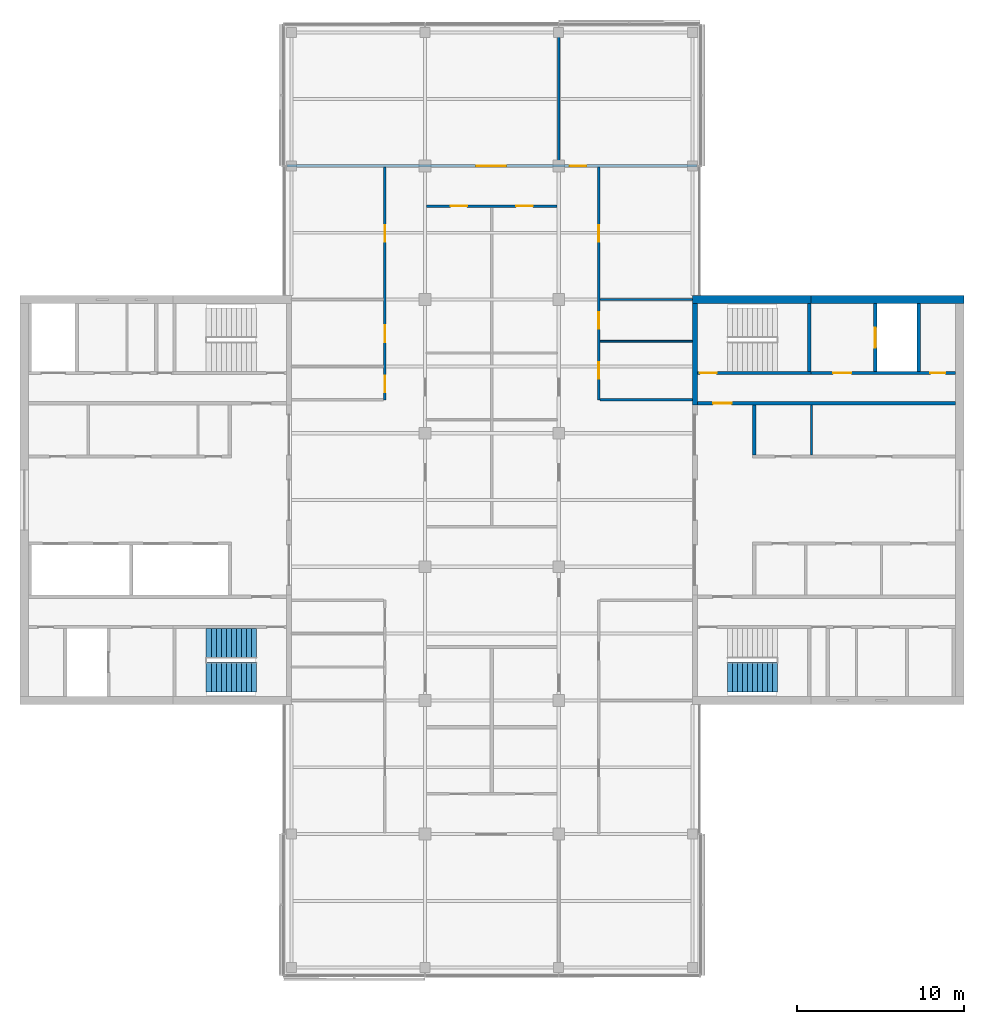
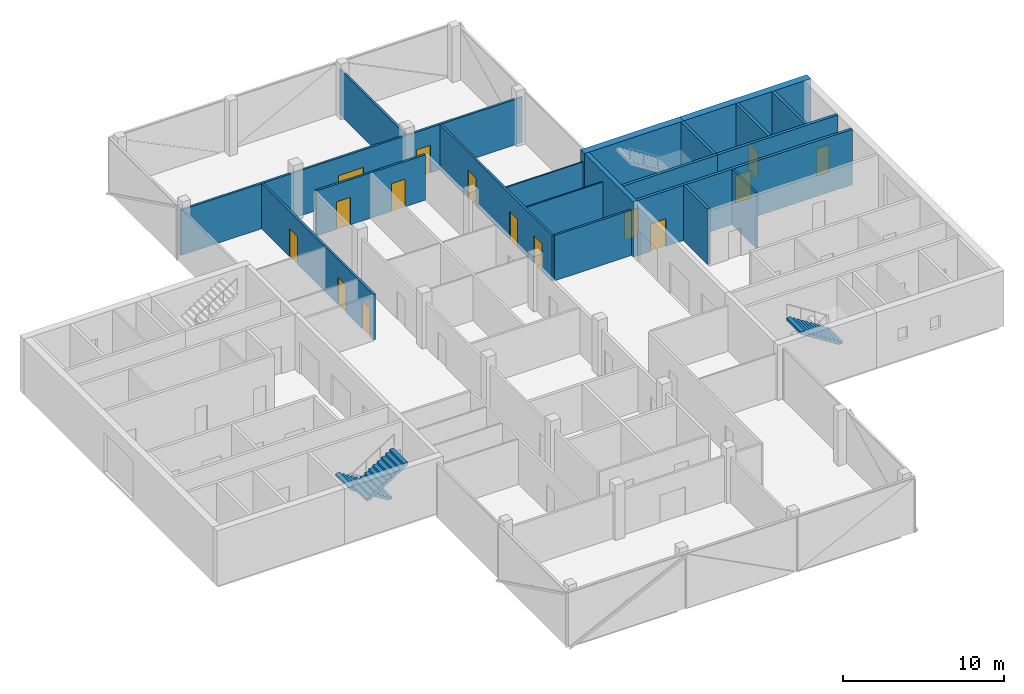
# One storey, part 12 of 16: 19 walls, 15 doors, 3 stair flights, 15 openings, 2 elements without a shape of their own.
"""IFC4 building model written with IfcOpenShell, lengths in metres."""

from ifc_helpers import new_model, si_unit, direction, frame, frame_2d, origin, place, context, subcontext, project, spatial, polyline, rectangle, outline, extrude, material, layer, layer_set, constituent, constituent_set, type_object, element, fill, aggregate, save


model = new_model("IFC4")

# Units and contexts
model_context = context("Model", 3, precision=1e-05, world=origin(), true_north=direction((0.0, 1.0)))
body_context = subcontext(model_context, "Body", "Model", "MODEL_VIEW")
ifc_project = project(units=[si_unit("LENGTHUNIT", "METRE"), si_unit("AREAUNIT", "SQUARE_METRE"), si_unit("VOLUMEUNIT", "CUBIC_METRE"), si_unit("PLANEANGLEUNIT", "RADIAN"), si_unit("MASSUNIT", "GRAM", prefix="KILO")], contexts=[model_context])

# Site, building, storey
site_placement = place(None, origin())
site = spatial("IfcSite", under=ifc_project, at=site_placement, CompositionType="ELEMENT")
building_placement = place(site_placement, origin())
building = spatial("IfcBuilding", under=site, at=building_placement, Name="Crosswind Convention Tower", CompositionType="ELEMENT")
storey_placement = place(building_placement, frame((0.0, 0.0, 274.5)))
storey = spatial("IfcBuildingStorey", under=building, at=storey_placement, Name="L59", CompositionType="ELEMENT", Elevation=274.5)

# Walls
ifc_material_1 = material(Name="Concrete C50/60", Category="concrete")
ifc_layer_1 = layer(ifc_material_1, 0.300048828125)
ifc_layer_set_1 = layer_set([ifc_layer_1], Name="Concrete C50/60")
wall_type_1 = type_object("IfcWallType", Name="Concrete inner core wall 300", PredefinedType="SHEAR", material=ifc_layer_set_1)
wall_1_placement = place(storey_placement, frame((137.14990234375, 105.699951171875, 0.0), z_axis=(0.0, 0.0, 1.0), x_axis=(0.0, 1.0, 0.0)))
element("IfcWall", 1, at=wall_1_placement, inside=storey, type_object=wall_type_1, Name="Wall EP E L59", PredefinedType="SHEAR", context=body_context, shape_type="SweptSolid", body=[
    extrude(rectangle(XDim=6.050048828125, YDim=0.300048828125, at=frame_2d((3.02490234375, 0.0))), origin(), (0.0, 0.0, 1.0), 4.199951171875),
])
ifc_layer_2 = layer(ifc_material_1, 0.199951171875)
ifc_layer_set_2 = layer_set([ifc_layer_2], Name="Concrete C50/60")
wall_type_2 = type_object("IfcWallType", Name="Concrete shaft and stair wall 200", PredefinedType="SHEAR", material=ifc_layer_set_2)
wall_2_placement = place(storey_placement, frame((140.699951171875, 102.699951171875, 0.0), z_axis=(0.0, 0.0, 1.0), x_axis=(0.0, 1.0, 0.0)))
element("IfcWall", 2, at=wall_2_placement, inside=storey, type_object=wall_type_2, Name="Wall RPEND E L59", PredefinedType="SHEAR", context=body_context, shape_type="SweptSolid", body=[
    extrude(rectangle(XDim=3.0, YDim=0.199951171875, at=frame_2d((1.5, 0.0))), origin(), (0.0, 0.0, 1.0), 4.199951171875),
])

# Wall, opening, door
wall_3_placement = place(storey_placement, frame((137.300048828125, 105.800048828125, 0.0), z_axis=(0.0, 0.0, 1.0), x_axis=(1.0, 0.0, 0.0)))
wall_3 = element("IfcWall", 3, at=wall_3_placement, inside=storey, type_object=wall_type_2, Name="Wall HP E L59", PredefinedType="SHEAR", context=body_context, shape_type="SweptSolid", body=[
    extrude(rectangle(XDim=15.449951171875, YDim=0.199951171875, at=frame_2d((7.72509765625, 0.0))), origin(), (0.0, 0.0, 1.0), 4.199951171875),
])
opening_1_placement = place(wall_3_placement, frame((0.949951171875, 0.0, 0.0)))
opening_1 = element("IfcOpeningElement", 4, at=opening_1_placement, cuts=wall_3, Name="Opening D104", PredefinedType="OPENING", context=body_context, shape_type="SweptSolid", body=[
    extrude(rectangle(XDim=1.10009765625, YDim=2.10009765625, at=frame_2d((0.550048828125, 1.050048828125))), frame((0.0, 0.10986328125, 0.0), z_axis=(0.0, -1.0, 0.0), x_axis=(1.0, 0.0, 0.0)), (0.0, 0.0, 1.0), 0.219970703125),
])
ifc_material_2 = material(Name="Steel fire door", Category="steel")
door_type_1 = type_object("IfcDoorType", Name="Fire-rated single door 1100x2100", OperationType="NOTDEFINED", PredefinedType="DOOR", material=ifc_material_2)
door_1_placement = place(opening_1_placement, origin())
door_1 = element("IfcDoor", 5, at=door_1_placement, inside=storey, type_object=door_type_1, Name="Corridor door L59", ObjectType="D104", OperationType="SINGLE_SWING_LEFT", OverallHeight=2.10009765625, OverallWidth=1.10009765625, PredefinedType="DOOR", context=body_context, shape_type="SweptSolid", body=[
    extrude(rectangle(XDim=1.10009765625, YDim=2.10009765625, at=frame_2d((0.550048828125, 1.050048828125))), frame((0.0, 0.02490234375, 0.0), z_axis=(0.0, -1.0, 0.0), x_axis=(1.0, 0.0, 0.0)), (0.0, 0.0, 1.0), 0.050048828125),
])
fill(opening_1, door_1)

# Wall
wall_4_placement = place(storey_placement, frame((144.0, 107.699951171875, 0.0), z_axis=(0.0, 0.0, 1.0), x_axis=(0.0, 1.0, 0.0)))
element("IfcWall", 6, at=wall_4_placement, inside=storey, type_object=wall_type_2, Name="Wall PSE E L59", PredefinedType="SHEAR", context=body_context, shape_type="SweptSolid", body=[
    extrude(rectangle(XDim=4.050048828125, YDim=0.199951171875, at=frame_2d((2.02490234375, 0.0))), origin(), (0.0, 0.0, 1.0), 4.199951171875),
])

# Wall, opening, door
wall_5_placement = place(storey_placement, frame((147.949951171875, 107.699951171875, 0.0), z_axis=(0.0, 0.0, 1.0), x_axis=(0.0, 1.0, 0.0)))
wall_5 = element("IfcWall", 7, at=wall_5_placement, inside=storey, type_object=wall_type_2, Name="Wall PFLW E L59", PredefinedType="SHEAR", context=body_context, shape_type="SweptSolid", body=[
    extrude(rectangle(XDim=4.050048828125, YDim=0.199951171875, at=frame_2d((2.02490234375, 0.0))), origin(), (0.0, 0.0, 1.0), 4.199951171875),
])
opening_2_placement = place(wall_5_placement, frame((1.425048828125, 0.0, 0.0)))
opening_2 = element("IfcOpeningElement", 8, at=opening_2_placement, cuts=wall_5, Name="Opening LD1", PredefinedType="OPENING", context=body_context, shape_type="SweptSolid", body=[
    extrude(rectangle(XDim=1.199951171875, YDim=2.10009765625, at=frame_2d((0.60009765625, 1.050048828125))), frame((0.0, 0.10986328125, 0.0), z_axis=(0.0, -1.0, 0.0), x_axis=(1.0, 0.0, 0.0)), (0.0, 0.0, 1.0), 0.219970703125),
])
ifc_material_3 = material(Name="Stainless steel", Category="steel")
door_type_2 = type_object("IfcDoorType", Name="Lift landing door 1200x2100", OperationType="DOUBLE_DOOR_SLIDING", PredefinedType="DOOR", material=ifc_material_3)
door_2_placement = place(opening_2_placement, origin())
door_2 = element("IfcDoor", 9, at=door_2_placement, inside=storey, type_object=door_type_2, Name="Landing door FF1 L59", ObjectType="LD1", OperationType="DOUBLE_DOOR_SLIDING", OverallHeight=2.10009765625, OverallWidth=1.199951171875, PredefinedType="DOOR", context=body_context, shape_type="SweptSolid", body=[
    extrude(rectangle(XDim=1.199951171875, YDim=2.10009765625, at=frame_2d((0.60009765625, 1.050048828125))), frame((0.0, 0.02490234375, 0.0), z_axis=(0.0, -1.0, 0.0), x_axis=(1.0, 0.0, 0.0)), (0.0, 0.0, 1.0), 0.050048828125),
])
fill(opening_2, door_2)

# Wall
wall_6_placement = place(storey_placement, frame((150.550048828125, 107.699951171875, 0.0), z_axis=(0.0, 0.0, 1.0), x_axis=(0.0, 1.0, 0.0)))
element("IfcWall", 10, at=wall_6_placement, inside=storey, type_object=wall_type_2, Name="Wall PFSE E L59", PredefinedType="SHEAR", context=body_context, shape_type="SweptSolid", body=[
    extrude(rectangle(XDim=4.050048828125, YDim=0.199951171875, at=frame_2d((2.02490234375, 0.0))), origin(), (0.0, 0.0, 1.0), 4.199951171875),
])

# Wall, opening, door
wall_7_placement = place(storey_placement, frame((137.300048828125, 107.60009765625, 0.0), z_axis=(0.0, 0.0, 1.0), x_axis=(1.0, 0.0, 0.0)))
wall_7 = element("IfcWall", 11, at=wall_7_placement, inside=storey, type_object=wall_type_2, Name="Wall PCW E L59", PredefinedType="SHEAR", context=body_context, shape_type="SweptSolid", body=[
    extrude(rectangle(XDim=6.800048828125, YDim=0.199951171875, at=frame_2d((3.39990234375, 0.0))), origin(), (0.0, 0.0, 1.0), 4.199951171875),
])
opening_3_placement = place(wall_7_placement, frame((0.14990234375, 0.0, 0.0)))
opening_3 = element("IfcOpeningElement", 12, at=opening_3_placement, cuts=wall_7, Name="Opening D103", PredefinedType="OPENING", context=body_context, shape_type="SweptSolid", body=[
    extrude(rectangle(XDim=1.0, YDim=2.10009765625, at=frame_2d((0.5, 1.050048828125))), frame((0.0, 0.10986328125, 0.0), z_axis=(0.0, -1.0, 0.0), x_axis=(1.0, 0.0, 0.0)), (0.0, 0.0, 1.0), 0.219970703125),
])
door_type_3 = type_object("IfcDoorType", Name="Fire-rated single door 1000x2100", OperationType="NOTDEFINED", PredefinedType="DOOR", material=ifc_material_2)
door_3_placement = place(opening_3_placement, origin())
door_3 = element("IfcDoor", 13, at=door_3_placement, inside=storey, type_object=door_type_3, Name="Stair ST1 door L59", ObjectType="D103", OperationType="SINGLE_SWING_LEFT", OverallHeight=2.10009765625, OverallWidth=1.0, PredefinedType="DOOR", context=body_context, shape_type="SweptSolid", body=[
    extrude(rectangle(XDim=1.0, YDim=2.10009765625, at=frame_2d((0.5, 1.050048828125))), frame((0.0, 0.02490234375, 0.0), z_axis=(0.0, -1.0, 0.0), x_axis=(1.0, 0.0, 0.0)), (0.0, 0.0, 1.0), 0.050048828125),
])
fill(opening_3, door_3)

# Wall, openings, doors
wall_8_placement = place(storey_placement, frame((144.10009765625, 107.60009765625, 0.0), z_axis=(0.0, 0.0, 1.0), x_axis=(1.0, 0.0, 0.0)))
wall_8 = element("IfcWall", 14, at=wall_8_placement, inside=storey, type_object=wall_type_2, Name="Wall PCX E L59", PredefinedType="SHEAR", context=body_context, shape_type="SweptSolid", body=[
    extrude(rectangle(XDim=8.64990234375, YDim=0.199951171875, at=frame_2d((4.324951171875, 0.0))), origin(), (0.0, 0.0, 1.0), 4.199951171875),
])
opening_4_placement = place(wall_8_placement, frame((1.324951171875, 0.0, 0.0)))
opening_4 = element("IfcOpeningElement", 15, at=opening_4_placement, cuts=wall_8, Name="Opening D104", PredefinedType="OPENING", context=body_context, shape_type="SweptSolid", body=[
    extrude(rectangle(XDim=1.10009765625, YDim=2.10009765625, at=frame_2d((0.550048828125, 1.050048828125))), frame((0.0, 0.10986328125, 0.0), z_axis=(0.0, -1.0, 0.0), x_axis=(1.0, 0.0, 0.0)), (0.0, 0.0, 1.0), 0.219970703125),
])
opening_5_placement = place(wall_8_placement, frame((7.14990234375, 0.0, 0.0)))
opening_5 = element("IfcOpeningElement", 16, at=opening_5_placement, cuts=wall_8, Name="Opening D106", PredefinedType="OPENING", context=body_context, shape_type="SweptSolid", body=[
    extrude(rectangle(XDim=0.89990234375, YDim=2.10009765625, at=frame_2d((0.449951171875, 1.050048828125))), frame((0.0, 0.10986328125, 0.0), z_axis=(0.0, -1.0, 0.0), x_axis=(1.0, 0.0, 0.0)), (0.0, 0.0, 1.0), 0.219970703125),
])
door_4_placement = place(opening_4_placement, origin())
door_4 = element("IfcDoor", 17, at=door_4_placement, inside=storey, type_object=door_type_1, Name="Fire-fighting lobby FF1 door L59", ObjectType="D104", OperationType="SINGLE_SWING_RIGHT", OverallHeight=2.10009765625, OverallWidth=1.10009765625, PredefinedType="DOOR", context=body_context, shape_type="SweptSolid", body=[
    extrude(rectangle(XDim=1.10009765625, YDim=2.10009765625, at=frame_2d((0.550048828125, 1.050048828125))), frame((0.0, 0.02490234375, 0.0), z_axis=(0.0, -1.0, 0.0), x_axis=(1.0, 0.0, 0.0)), (0.0, 0.0, 1.0), 0.050048828125),
])
fill(opening_4, door_4)
ifc_material_4 = material(Name="Timber door", Category="wood")
door_type_4 = type_object("IfcDoorType", Name="Single leaf door 900x2100", OperationType="NOTDEFINED", PredefinedType="DOOR", material=ifc_material_4)
door_5_placement = place(opening_5_placement, origin())
door_5 = element("IfcDoor", 18, at=door_5_placement, inside=storey, type_object=door_type_4, Name="Door to comms room L59", ObjectType="D106", OperationType="SINGLE_SWING_RIGHT", OverallHeight=2.10009765625, OverallWidth=0.89990234375, PredefinedType="DOOR", context=body_context, shape_type="SweptSolid", body=[
    extrude(rectangle(XDim=0.89990234375, YDim=2.10009765625, at=frame_2d((0.449951171875, 1.050048828125))), frame((0.0, 0.02490234375, 0.0), z_axis=(0.0, -1.0, 0.0), x_axis=(1.0, 0.0, 0.0)), (0.0, 0.0, 1.0), 0.050048828125),
])
fill(opening_5, door_5)

# Walls
ifc_material_5 = material(Name="Gypsum plasterboard partition", Category="gypsum")
ifc_layer_3 = layer(ifc_material_5, 0.125)
ifc_layer_set_3 = layer_set([ifc_layer_3], Name="Drywall partition wall 125")
wall_type_3 = type_object("IfcWallType", Name="Drywall partition wall 125", PredefinedType="PARTITIONING", material=ifc_layer_set_3)
wall_9_placement = place(storey_placement, frame((144.14599609375, 102.699951171875, 0.0), z_axis=(0.0, 0.0, 1.0), x_axis=(0.0, 1.0, 0.0)))
element("IfcWall", 19, at=wall_9_placement, inside=storey, type_object=wall_type_3, Name="Wall RPP1 E L59", PredefinedType="PARTITIONING", context=body_context, shape_type="SweptSolid", body=[
    extrude(rectangle(XDim=3.0, YDim=0.125, at=frame_2d((1.5, 0.0))), origin(), (0.0, 0.0, 1.0), 4.199951171875),
])
ifc_material_6 = material(Name="Plasterboard partition", Category="gypsum")
ifc_layer_4 = layer(ifc_material_6, 0.10009765625)
ifc_layer_set_4 = layer_set([ifc_layer_4], Name="PARTITION 100 METAL STUD")
wall_type_4 = type_object("IfcWallType", Name="PARTITION 100 METAL STUD", PredefinedType="PARTITIONING", material=ifc_layer_set_4)
for number, where, z_axis, x_axis, name in (
    (20, (131.47509765625, 109.5, 0.0), (0.0, 0.0, 1.0), (1.0, 0.0, 0.0), "Partition wall WT40"),
    (21, (131.47509765625, 112.0, 0.0), (0.0, 0.0, 1.0), (1.0, 0.0, 0.0), "Partition wall WT40"),
):
    element("IfcWall", number, at=place(storey_placement, frame(where, z_axis=z_axis, x_axis=x_axis)), inside=storey, type_object=wall_type_4, Name=name, PredefinedType="PARTITIONING", context=body_context, shape_type="SweptSolid", body=[
        extrude(rectangle(XDim=5.52490234375, YDim=0.10009765625, at=frame_2d((2.762451171875, 0.0))), origin(), (0.0, 0.0, 1.0), 3.44287109375),
    ])

# Wall, openings, doors
ifc_material_7 = material(Name="Fire-board partition with mineral wool", Category="gypsum")
ifc_layer_5 = layer(ifc_material_7, 0.14990234375)
ifc_layer_set_5 = layer_set([ifc_layer_5], Name="TENANCY WALL 150 TWO-HOUR BOARD")
wall_type_5 = type_object("IfcWallType", Name="TENANCY WALL 150 TWO-HOUR BOARD", PredefinedType="PARTITIONING", material=ifc_layer_set_5)
wall_10_placement = place(storey_placement, frame((118.60009765625, 106.0, 0.0), z_axis=(0.0, 0.0, 1.0), x_axis=(0.0, 1.0, 0.0)))
wall_10 = element("IfcWall", 22, at=wall_10_placement, inside=storey, type_object=wall_type_5, Name="Tenancy wall WT41", PredefinedType="PARTITIONING", context=body_context, shape_type="SweptSolid", body=[
    extrude(rectangle(XDim=13.925048828125, YDim=0.14990234375, at=frame_2d((6.96240234375, 0.0))), origin(), (0.0, 0.0, 1.0), 3.44287109375),
])
opening_6_placement = place(wall_10_placement, frame((0.449951171875, 0.0, 0.0)))
opening_6 = element("IfcOpeningElement", 23, at=opening_6_placement, cuts=wall_10, Name="Opening L59-55", PredefinedType="OPENING", context=body_context, shape_type="SweptSolid", body=[
    extrude(rectangle(XDim=1.0, YDim=2.10009765625, at=frame_2d((0.5, 1.050048828125))), frame((0.0, 0.0849609375, 0.0), z_axis=(0.0, -1.0, 0.0), x_axis=(1.0, 0.0, 0.0)), (0.0, 0.0, 1.0), 0.169921875),
])
opening_7_placement = place(wall_10_placement, frame((3.449951171875, 0.0, 0.0)))
opening_7 = element("IfcOpeningElement", 24, at=opening_7_placement, cuts=wall_10, Name="Opening L59-56", PredefinedType="OPENING", context=body_context, shape_type="SweptSolid", body=[
    extrude(rectangle(XDim=1.0, YDim=2.10009765625, at=frame_2d((0.5, 1.050048828125))), frame((0.0, 0.0849609375, 0.0), z_axis=(0.0, -1.0, 0.0), x_axis=(1.0, 0.0, 0.0)), (0.0, 0.0, 1.0), 0.169921875),
])
opening_8_placement = place(wall_10_placement, frame((9.449951171875, 0.0, 0.0)))
opening_8 = element("IfcOpeningElement", 25, at=opening_8_placement, cuts=wall_10, Name="Opening L59-57", PredefinedType="OPENING", context=body_context, shape_type="SweptSolid", body=[
    extrude(rectangle(XDim=1.0, YDim=2.10009765625, at=frame_2d((0.5, 1.050048828125))), frame((0.0, 0.0849609375, 0.0), z_axis=(0.0, -1.0, 0.0), x_axis=(1.0, 0.0, 0.0)), (0.0, 0.0, 1.0), 0.169921875),
])
ifc_material_8 = material(Name="Timber fire door", Category="wood")
door_type_5 = type_object("IfcDoorType", Name="TENANCY ENTRANCE DOOR 1000X2100 FD30S", OperationType="NOTDEFINED", PredefinedType="DOOR", material=ifc_material_8)
door_6_placement = place(opening_6_placement, origin())
door_6 = element("IfcDoor", 26, at=door_6_placement, inside=storey, type_object=door_type_5, Name="Door L59-55", ObjectType="D41", OperationType="SINGLE_SWING_LEFT", OverallHeight=2.10009765625, OverallWidth=1.0, PredefinedType="DOOR", context=body_context, shape_type="SweptSolid", body=[
    extrude(rectangle(XDim=1.0, YDim=2.10009765625, at=frame_2d((0.5, 1.050048828125))), frame((0.0, 0.02490234375, 0.0), z_axis=(0.0, -1.0, 0.0), x_axis=(1.0, 0.0, 0.0)), (0.0, 0.0, 1.0), 0.050048828125),
])
fill(opening_6, door_6)
door_7_placement = place(opening_7_placement, origin())
door_7 = element("IfcDoor", 27, at=door_7_placement, inside=storey, type_object=door_type_5, Name="Door L59-56", ObjectType="D41", OperationType="SINGLE_SWING_LEFT", OverallHeight=2.10009765625, OverallWidth=1.0, PredefinedType="DOOR", context=body_context, shape_type="SweptSolid", body=[
    extrude(rectangle(XDim=1.0, YDim=2.10009765625, at=frame_2d((0.5, 1.050048828125))), frame((0.0, 0.02490234375, 0.0), z_axis=(0.0, -1.0, 0.0), x_axis=(1.0, 0.0, 0.0)), (0.0, 0.0, 1.0), 0.050048828125),
])
fill(opening_7, door_7)
door_8_placement = place(opening_8_placement, origin())
door_8 = element("IfcDoor", 28, at=door_8_placement, inside=storey, type_object=door_type_5, Name="Door L59-57", ObjectType="D41", OperationType="SINGLE_SWING_LEFT", OverallHeight=2.10009765625, OverallWidth=1.0, PredefinedType="DOOR", context=body_context, shape_type="SweptSolid", body=[
    extrude(rectangle(XDim=1.0, YDim=2.10009765625, at=frame_2d((0.5, 1.050048828125))), frame((0.0, 0.02490234375, 0.0), z_axis=(0.0, -1.0, 0.0), x_axis=(1.0, 0.0, 0.0)), (0.0, 0.0, 1.0), 0.050048828125),
])
fill(opening_8, door_8)

# Wall
wall_11_placement = place(storey_placement, frame((129.0, 120.074951171875, 0.0), z_axis=(0.0, 0.0, 1.0), x_axis=(0.0, 1.0, 0.0)))
element("IfcWall", 29, at=wall_11_placement, inside=storey, type_object=wall_type_5, Name="Tenancy wall WT41", PredefinedType="PARTITIONING", context=body_context, shape_type="SweptSolid", body=[
    extrude(rectangle(XDim=8.195068359375, YDim=0.14990234375, at=frame_2d((4.09765625, 0.0))), origin(), (0.0, 0.0, 1.0), 3.44287109375),
])

# Wall, openings, doors
wall_12_placement = place(storey_placement, frame((131.39990234375, 106.0, 0.0), z_axis=(0.0, 0.0, 1.0), x_axis=(0.0, 1.0, 0.0)))
wall_12 = element("IfcWall", 30, at=wall_12_placement, inside=storey, type_object=wall_type_5, Name="Tenancy wall WT41", PredefinedType="PARTITIONING", context=body_context, shape_type="SweptSolid", body=[
    extrude(rectangle(XDim=13.925048828125, YDim=0.14990234375, at=frame_2d((6.96240234375, 0.0))), origin(), (0.0, 0.0, 1.0), 3.44287109375),
])
opening_9_placement = place(wall_12_placement, frame((1.25, 0.0, 0.0)))
opening_9 = element("IfcOpeningElement", 31, at=opening_9_placement, cuts=wall_12, Name="Opening L59-50", PredefinedType="OPENING", context=body_context, shape_type="SweptSolid", body=[
    extrude(rectangle(XDim=1.0, YDim=2.10009765625, at=frame_2d((0.5, 1.050048828125))), frame((0.0, 0.0849609375, 0.0), z_axis=(0.0, -1.0, 0.0), x_axis=(1.0, 0.0, 0.0)), (0.0, 0.0, 1.0), 0.169921875),
])
opening_10_placement = place(wall_12_placement, frame((4.25, 0.0, 0.0)))
opening_10 = element("IfcOpeningElement", 32, at=opening_10_placement, cuts=wall_12, Name="Opening L59-51", PredefinedType="OPENING", context=body_context, shape_type="SweptSolid", body=[
    extrude(rectangle(XDim=1.0, YDim=2.10009765625, at=frame_2d((0.5, 1.050048828125))), frame((0.0, 0.0849609375, 0.0), z_axis=(0.0, -1.0, 0.0), x_axis=(1.0, 0.0, 0.0)), (0.0, 0.0, 1.0), 0.169921875),
])
opening_11_placement = place(wall_12_placement, frame((9.449951171875, 0.0, 0.0)))
opening_11 = element("IfcOpeningElement", 33, at=opening_11_placement, cuts=wall_12, Name="Opening L59-52", PredefinedType="OPENING", context=body_context, shape_type="SweptSolid", body=[
    extrude(rectangle(XDim=1.0, YDim=2.10009765625, at=frame_2d((0.5, 1.050048828125))), frame((0.0, 0.0849609375, 0.0), z_axis=(0.0, -1.0, 0.0), x_axis=(1.0, 0.0, 0.0)), (0.0, 0.0, 1.0), 0.169921875),
])
door_9_placement = place(opening_9_placement, frame((1.0, 0.0, 0.0), z_axis=(0.0, 0.0, 1.0), x_axis=(-1.0, 0.0, 0.0)))
door_9 = element("IfcDoor", 34, at=door_9_placement, inside=storey, type_object=door_type_5, Name="Door L59-50", ObjectType="D41", OperationType="SINGLE_SWING_LEFT", OverallHeight=2.10009765625, OverallWidth=1.0, PredefinedType="DOOR", context=body_context, shape_type="SweptSolid", body=[
    extrude(rectangle(XDim=1.0, YDim=2.10009765625, at=frame_2d((0.5, 1.050048828125))), frame((0.0, 0.02490234375, 0.0), z_axis=(0.0, -1.0, 0.0), x_axis=(1.0, 0.0, 0.0)), (0.0, 0.0, 1.0), 0.050048828125),
])
fill(opening_9, door_9)
door_10_placement = place(opening_10_placement, frame((1.0, 0.0, 0.0), z_axis=(0.0, 0.0, 1.0), x_axis=(-1.0, 0.0, 0.0)))
door_10 = element("IfcDoor", 35, at=door_10_placement, inside=storey, type_object=door_type_5, Name="Door L59-51", ObjectType="D41", OperationType="SINGLE_SWING_LEFT", OverallHeight=2.10009765625, OverallWidth=1.0, PredefinedType="DOOR", context=body_context, shape_type="SweptSolid", body=[
    extrude(rectangle(XDim=1.0, YDim=2.10009765625, at=frame_2d((0.5, 1.050048828125))), frame((0.0, 0.02490234375, 0.0), z_axis=(0.0, -1.0, 0.0), x_axis=(1.0, 0.0, 0.0)), (0.0, 0.0, 1.0), 0.050048828125),
])
fill(opening_10, door_10)
door_11_placement = place(opening_11_placement, frame((1.0, 0.0, 0.0), z_axis=(0.0, 0.0, 1.0), x_axis=(-1.0, 0.0, 0.0)))
door_11 = element("IfcDoor", 36, at=door_11_placement, inside=storey, type_object=door_type_5, Name="Door L59-52", ObjectType="D41", OperationType="SINGLE_SWING_RIGHT", OverallHeight=2.10009765625, OverallWidth=1.0, PredefinedType="DOOR", context=body_context, shape_type="SweptSolid", body=[
    extrude(rectangle(XDim=1.0, YDim=2.10009765625, at=frame_2d((0.5, 1.050048828125))), frame((0.0, 0.02490234375, 0.0), z_axis=(0.0, -1.0, 0.0), x_axis=(1.0, 0.0, 0.0)), (0.0, 0.0, 1.0), 0.050048828125),
])
fill(opening_11, door_11)

# Wall
wall_13_placement = place(storey_placement, frame((131.47509765625, 106.0, 0.0), z_axis=(0.0, 0.0, 1.0), x_axis=(1.0, 0.0, 0.0)))
element("IfcWall", 37, at=wall_13_placement, inside=storey, type_object=wall_type_5, Name="Tenancy wall WT41", PredefinedType="PARTITIONING", context=body_context, shape_type="SweptSolid", body=[
    extrude(rectangle(XDim=5.52490234375, YDim=0.14990234375, at=frame_2d((2.762451171875, 0.0))), origin(), (0.0, 0.0, 1.0), 3.44287109375),
])

# Wall, openings, doors
wall_14_placement = place(storey_placement, frame((121.074951171875, 117.60009765625, 0.0), z_axis=(0.0, 0.0, 1.0), x_axis=(1.0, 0.0, 0.0)))
wall_14 = element("IfcWall", 38, at=wall_14_placement, inside=storey, type_object=wall_type_5, Name="Tenancy wall WT41", PredefinedType="PARTITIONING", context=body_context, shape_type="SweptSolid", body=[
    extrude(rectangle(XDim=7.824951171875, YDim=0.14990234375, at=frame_2d((3.91259765625, 0.0))), origin(), (0.0, 0.0, 1.0), 3.44287109375),
])
opening_12_placement = place(wall_14_placement, frame((1.449951171875, 0.0, 0.0)))
opening_12 = element("IfcOpeningElement", 39, at=opening_12_placement, cuts=wall_14, Name="Opening L59-74", PredefinedType="OPENING", context=body_context, shape_type="SweptSolid", body=[
    extrude(rectangle(XDim=1.0, YDim=2.10009765625, at=frame_2d((0.5, 1.050048828125))), frame((0.0, 0.0849609375, 0.0), z_axis=(0.0, -1.0, 0.0), x_axis=(1.0, 0.0, 0.0)), (0.0, 0.0, 1.0), 0.169921875),
])
opening_13_placement = place(wall_14_placement, frame((5.375, 0.0, 0.0)))
opening_13 = element("IfcOpeningElement", 40, at=opening_13_placement, cuts=wall_14, Name="Opening L59-75", PredefinedType="OPENING", context=body_context, shape_type="SweptSolid", body=[
    extrude(rectangle(XDim=1.0, YDim=2.10009765625, at=frame_2d((0.5, 1.050048828125))), frame((0.0, 0.0849609375, 0.0), z_axis=(0.0, -1.0, 0.0), x_axis=(1.0, 0.0, 0.0)), (0.0, 0.0, 1.0), 0.169921875),
])
door_12_placement = place(opening_12_placement, frame((1.0, 0.0, 0.0), z_axis=(0.0, 0.0, 1.0), x_axis=(-1.0, 0.0, 0.0)))
door_12 = element("IfcDoor", 41, at=door_12_placement, inside=storey, type_object=door_type_5, Name="Door L59-74", ObjectType="D41", OperationType="SINGLE_SWING_LEFT", OverallHeight=2.10009765625, OverallWidth=1.0, PredefinedType="DOOR", context=body_context, shape_type="SweptSolid", body=[
    extrude(rectangle(XDim=1.0, YDim=2.10009765625, at=frame_2d((0.5, 1.050048828125))), frame((0.0, 0.02490234375, 0.0), z_axis=(0.0, -1.0, 0.0), x_axis=(1.0, 0.0, 0.0)), (0.0, 0.0, 1.0), 0.050048828125),
])
fill(opening_12, door_12)
door_13_placement = place(opening_13_placement, frame((1.0, 0.0, 0.0), z_axis=(0.0, 0.0, 1.0), x_axis=(-1.0, 0.0, 0.0)))
door_13 = element("IfcDoor", 42, at=door_13_placement, inside=storey, type_object=door_type_5, Name="Door L59-75", ObjectType="D41", OperationType="SINGLE_SWING_RIGHT", OverallHeight=2.10009765625, OverallWidth=1.0, PredefinedType="DOOR", context=body_context, shape_type="SweptSolid", body=[
    extrude(rectangle(XDim=1.0, YDim=2.10009765625, at=frame_2d((0.5, 1.050048828125))), frame((0.0, 0.02490234375, 0.0), z_axis=(0.0, -1.0, 0.0), x_axis=(1.0, 0.0, 0.0)), (0.0, 0.0, 1.0), 0.050048828125),
])
fill(opening_13, door_13)

wall_15_placement = place(storey_placement, frame((112.72998046875, 120.0, 0.0), z_axis=(0.0, 0.0, 1.0), x_axis=(1.0, 0.0, 0.0)))
wall_15 = element("IfcWall", 43, at=wall_15_placement, inside=storey, type_object=wall_type_5, Name="Tenancy wall WT41", PredefinedType="PARTITIONING", context=body_context, shape_type="SweptSolid", body=[
    extrude(rectangle(XDim=24.5400390625, YDim=0.14990234375, at=frame_2d((12.27001953125, 0.0))), origin(), (0.0, 0.0, 1.0), 3.44287109375),
])
opening_14_placement = place(wall_15_placement, frame((11.320068359375, 0.0, 0.0)))
opening_14 = element("IfcOpeningElement", 44, at=opening_14_placement, cuts=wall_15, Name="Opening L59-62", PredefinedType="OPENING", context=body_context, shape_type="SweptSolid", body=[
    extrude(rectangle(XDim=1.800048828125, YDim=2.10009765625, at=frame_2d((0.89990234375, 1.050048828125))), frame((0.0, 0.0849609375, 0.0), z_axis=(0.0, -1.0, 0.0), x_axis=(1.0, 0.0, 0.0)), (0.0, 0.0, 1.0), 0.169921875),
])
opening_15_placement = place(wall_15_placement, frame((16.919921875, 0.0, 0.0)))
opening_15 = element("IfcOpeningElement", 45, at=opening_15_placement, cuts=wall_15, Name="Opening L59-63", PredefinedType="OPENING", context=body_context, shape_type="SweptSolid", body=[
    extrude(rectangle(XDim=1.0, YDim=2.10009765625, at=frame_2d((0.5, 1.050048828125))), frame((0.0, 0.0849609375, 0.0), z_axis=(0.0, -1.0, 0.0), x_axis=(1.0, 0.0, 0.0)), (0.0, 0.0, 1.0), 0.169921875),
])
door_14_placement = place(opening_15_placement, frame((1.0, 0.0, 0.0), z_axis=(0.0, 0.0, 1.0), x_axis=(-1.0, 0.0, 0.0)))
door_14 = element("IfcDoor", 46, at=door_14_placement, inside=storey, type_object=door_type_5, Name="Door L59-63", ObjectType="D41", OperationType="SINGLE_SWING_RIGHT", OverallHeight=2.10009765625, OverallWidth=1.0, PredefinedType="DOOR", context=body_context, shape_type="SweptSolid", body=[
    extrude(rectangle(XDim=1.0, YDim=2.10009765625, at=frame_2d((0.5, 1.050048828125))), frame((0.0, 0.02490234375, 0.0), z_axis=(0.0, -1.0, 0.0), x_axis=(1.0, 0.0, 0.0)), (0.0, 0.0, 1.0), 0.050048828125),
])
fill(opening_15, door_14)
door_type_6 = type_object("IfcDoorType", Name="TENANCY ENTRANCE DOUBLE DOOR 1800X2100 FD30S", OperationType="DOUBLE_DOOR_SINGLE_SWING", PredefinedType="DOOR", material=ifc_material_8)
door_15_placement = place(opening_14_placement, origin())
door_15 = element("IfcDoor", 47, at=door_15_placement, inside=storey, type_object=door_type_6, Name="Door L59-62", ObjectType="D42", OperationType="DOUBLE_DOOR_SINGLE_SWING", OverallHeight=2.10009765625, OverallWidth=1.800048828125, PredefinedType="DOOR", context=body_context, shape_type="SweptSolid", body=[
    extrude(rectangle(XDim=1.800048828125, YDim=2.10009765625, at=frame_2d((0.89990234375, 1.050048828125))), frame((0.0, 0.02490234375, 0.0), z_axis=(0.0, -1.0, 0.0), x_axis=(1.0, 0.0, 0.0)), (0.0, 0.0, 1.0), 0.050048828125),
])
fill(opening_14, door_15)

# Walls
ifc_material_9 = material(Name="Concrete C60/75", Category="concrete")
ifc_constituent_1 = constituent(ifc_material_9, Name="Structure")
ifc_material_10 = material(Name="Terracotta rainscreen", Category="ceramic")
ifc_constituent_2 = constituent(ifc_material_10, Name="Facing")
ifc_constituent_set = constituent_set(constituents=[ifc_constituent_1, ifc_constituent_2], Name="Concrete C60/75, Terracotta rainscreen")
wall_type_6 = type_object("IfcWallType", Name="Terracotta rainscreen on concrete core wall 500", PredefinedType="SHEAR", material=ifc_constituent_set)
wall_16_placement = place(storey_placement, frame((137.0, 112.0, 0.0), z_axis=(0.0, 0.0, 1.0), x_axis=(1.0, 0.0, 0.0)))
element("IfcWall", 48, at=wall_16_placement, inside=storey, type_object=wall_type_6, Name="Wall N1 E L59", PredefinedType="SHEAR", context=body_context, shape_type="SweptSolid", body=[
    extrude(rectangle(XDim=7.10009765625, YDim=0.5, at=frame_2d((3.550048828125, 0.0))), origin(), (0.0, 0.0, 1.0), 4.199951171875),
])
wall_17_placement = place(storey_placement, frame((144.10009765625, 112.0, 0.0), z_axis=(0.0, 0.0, 1.0), x_axis=(1.0, 0.0, 0.0)))
element("IfcWall", 49, at=wall_17_placement, inside=storey, type_object=wall_type_6, Name="Wall N2 E L59", PredefinedType="SHEAR", context=body_context, shape_type="SweptSolid", body=[
    extrude(rectangle(XDim=9.14990234375, YDim=0.5, at=frame_2d((4.574951171875, 0.0))), origin(), (0.0, 0.0, 1.0), 4.199951171875),
])

# Stair, stair flight
ifc_material_11 = material(Name="Concrete C40/50", Category="concrete")
stair_type = type_object("IfcStairType", Name="Exit stair 1800 wide, 2 flights of 11 risers", PredefinedType="HALF_TURN_STAIR", material=ifc_material_11)
stair_1_placement = place(storey_placement, origin())
stair_1 = element("IfcStair", 50, at=stair_1_placement, inside=storey, type_object=stair_type, Name="Exit stair ST2 L59", ObjectType="ST5", PredefinedType="HALF_TURN_STAIR")
stair_flight_type = type_object("IfcStairFlightType", Name="Stair flight 1800 wide, 11 risers (SF4)", PredefinedType="STRAIGHT", material=ifc_material_11)
stair_flight_1_placement = place(storey_placement, frame((142.10009765625, 89.39990234375, 2.10009765625), z_axis=(0.0, 0.0, 1.0), x_axis=(-1.0, 0.0, 0.0)))
stair_flight_1 = element("IfcStairFlight", 51, at=stair_flight_1_placement, type_object=stair_flight_type, Name="ST2 flight 2", NumberOfRisers=11, NumberOfTreads=10, PredefinedType="STRAIGHT", RiserHeight=0.190909091, TreadLength=0.3, context=body_context, shape_type="SweptSolid", body=[
    extrude(outline(polyline([(0.0, 0.0), (0.0, 0.19091796875), (0.300048828125, 0.19091796875), (0.300048828125, 0.3818359375), (0.60009765625, 0.3818359375), (0.60009765625, 0.57275390625), (0.89990234375, 0.57275390625), (0.89990234375, 0.763671875), (1.199951171875, 0.763671875), (1.199951171875, 0.95458984375), (1.5, 0.95458984375), (1.5, 1.1455078125), (1.800048828125, 1.1455078125), (1.800048828125, 1.33642578125), (2.10009765625, 1.33642578125), (2.10009765625, 1.52734375), (2.39990234375, 1.52734375), (2.39990234375, 1.71826171875), (2.699951171875, 1.71826171875), (2.699951171875, 1.9091796875), (3.0, 1.9091796875), (3.0, 2.10009765625), (3.0, 1.7314453125), (0.279296875, 0.0), (0.0, 0.0)])), frame((0.0, 0.89990234375, 0.0), z_axis=(0.0, -1.0, 0.0), x_axis=(1.0, 0.0, 0.0)), (0.0, 0.0, 1.0), 1.800048828125),
])
aggregate(stair_1, [stair_flight_1])

# Stair, stair flights
stair_2_placement = place(storey_placement, origin())
stair_2 = element("IfcStair", 52, at=stair_2_placement, inside=storey, type_object=stair_type, Name="Exit stair ST3 L59", ObjectType="ST5", PredefinedType="HALF_TURN_STAIR")
stair_flight_2_placement = place(storey_placement, frame((110.89990234375, 91.39990234375, 0.0), z_axis=(0.0, 0.0, 1.0), x_axis=(-1.0, 0.0, 0.0)))
stair_flight_2 = element("IfcStairFlight", 53, at=stair_flight_2_placement, type_object=stair_flight_type, Name="ST3 flight 1", NumberOfRisers=11, NumberOfTreads=10, PredefinedType="STRAIGHT", RiserHeight=0.190909091, TreadLength=0.3, context=body_context, shape_type="SweptSolid", body=[
    extrude(outline(polyline([(0.0, 0.0), (0.0, 0.19091796875), (0.300048828125, 0.19091796875), (0.300048828125, 0.3818359375), (0.60009765625, 0.3818359375), (0.60009765625, 0.57275390625), (0.89990234375, 0.57275390625), (0.89990234375, 0.763671875), (1.199951171875, 0.763671875), (1.199951171875, 0.95458984375), (1.5, 0.95458984375), (1.5, 1.1455078125), (1.800048828125, 1.1455078125), (1.800048828125, 1.33642578125), (2.10009765625, 1.33642578125), (2.10009765625, 1.52734375), (2.39990234375, 1.52734375), (2.39990234375, 1.71826171875), (2.699951171875, 1.71826171875), (2.699951171875, 1.9091796875), (3.0, 1.9091796875), (3.0, 2.10009765625), (3.0, 1.7314453125), (0.279296875, 0.0), (0.0, 0.0)])), frame((0.0, 0.89990234375, 0.0), z_axis=(0.0, -1.0, 0.0), x_axis=(1.0, 0.0, 0.0)), (0.0, 0.0, 1.0), 1.800048828125),
])
stair_flight_3_placement = place(storey_placement, frame((107.89990234375, 89.39990234375, 2.10009765625), z_axis=(0.0, 0.0, 1.0), x_axis=(1.0, 0.0, 0.0)))
stair_flight_3 = element("IfcStairFlight", 54, at=stair_flight_3_placement, type_object=stair_flight_type, Name="ST3 flight 2", NumberOfRisers=11, NumberOfTreads=10, PredefinedType="STRAIGHT", RiserHeight=0.190909091, TreadLength=0.3, context=body_context, shape_type="SweptSolid", body=[
    extrude(outline(polyline([(0.0, 0.0), (0.0, 0.19091796875), (0.300048828125, 0.19091796875), (0.300048828125, 0.3818359375), (0.60009765625, 0.3818359375), (0.60009765625, 0.57275390625), (0.89990234375, 0.57275390625), (0.89990234375, 0.763671875), (1.199951171875, 0.763671875), (1.199951171875, 0.95458984375), (1.5, 0.95458984375), (1.5, 1.1455078125), (1.800048828125, 1.1455078125), (1.800048828125, 1.33642578125), (2.10009765625, 1.33642578125), (2.10009765625, 1.52734375), (2.39990234375, 1.52734375), (2.39990234375, 1.71826171875), (2.699951171875, 1.71826171875), (2.699951171875, 1.9091796875), (3.0, 1.9091796875), (3.0, 2.10009765625), (3.0, 1.7314453125), (0.279296875, 0.0), (0.0, 0.0)])), frame((0.0, 0.89990234375, 0.0), z_axis=(0.0, -1.0, 0.0), x_axis=(1.0, 0.0, 0.0)), (0.0, 0.0, 1.0), 1.800048828125),
])
aggregate(stair_2, [stair_flight_2, stair_flight_3])

save(model, "model.ifc")
